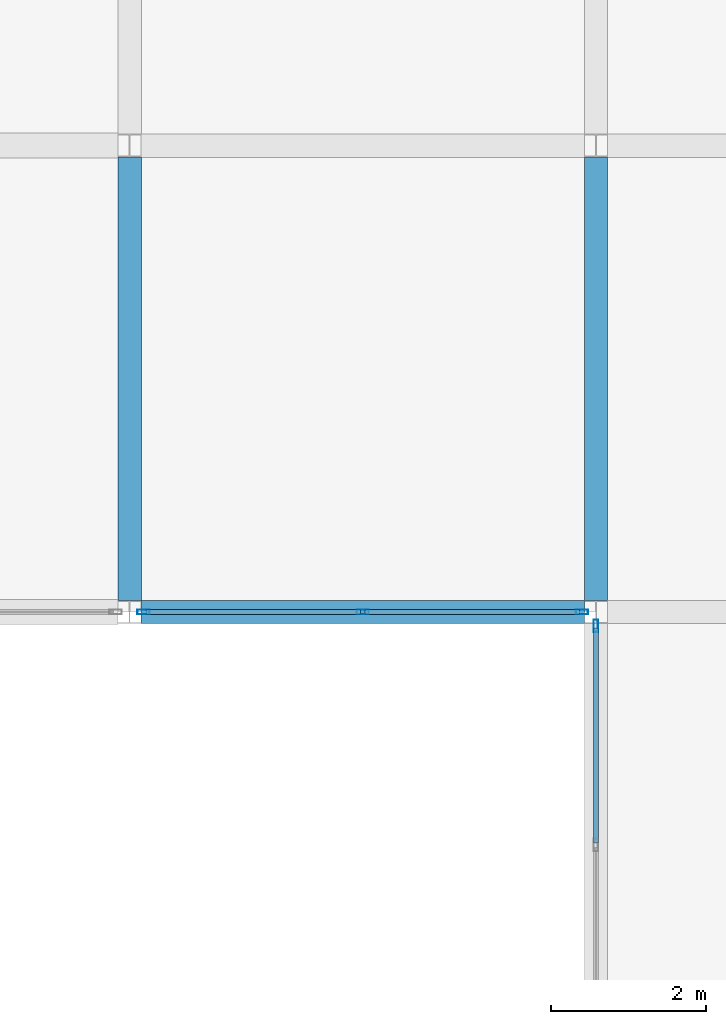
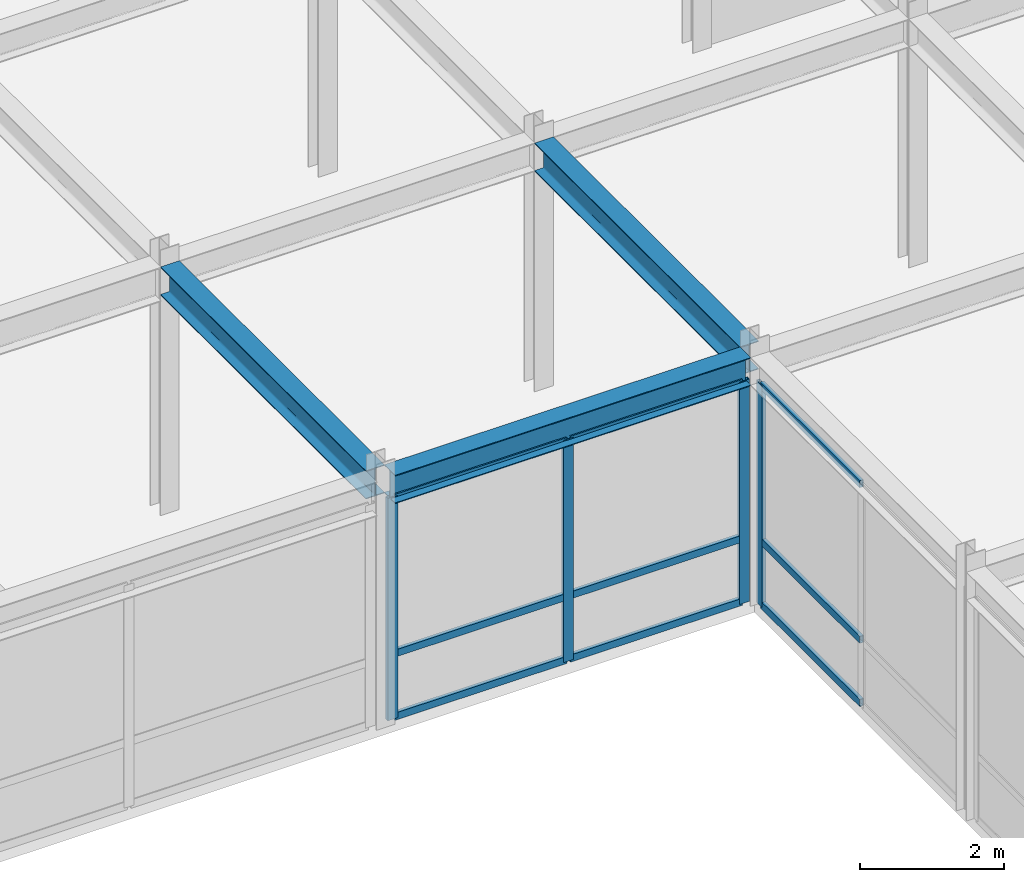
# One storey, part 91 of 108: 13 members, 3 beams, 2 elements without a shape of their own.
"""IFC4 building model written with IfcOpenShell, lengths in metres."""

from ifc_helpers import new_model, si_unit, direction, frame, origin, origin_2d, place, context, subcontext, project, spatial, hollow_rectangle, i_section, extrude, material, layer, layer_set, material_profile, profile_set, type_object, element, aggregate, save


model = new_model("IFC4")

# Units and contexts
model_context = context("Model", 3, precision=1e-05, world=origin(), true_north=direction((0.0, 1.0)))
body_context = subcontext(model_context, "Body", "Model", "MODEL_VIEW")
ifc_project = project(units=[si_unit("LENGTHUNIT", "METRE"), si_unit("AREAUNIT", "SQUARE_METRE"), si_unit("VOLUMEUNIT", "CUBIC_METRE"), si_unit("PLANEANGLEUNIT", "RADIAN"), si_unit("MASSUNIT", "GRAM", prefix="KILO")], contexts=[model_context])

# Site, building, storey
site_placement = place(None, origin())
site = spatial("IfcSite", under=ifc_project, at=site_placement, CompositionType="ELEMENT")
building_placement = place(site_placement, origin())
building = spatial("IfcBuilding", under=site, at=building_placement, Name="Zlatovratsky Civic Hall", CompositionType="ELEMENT")
storey_placement = place(building_placement, frame((0.0, 0.0, 12.0)))
storey = spatial("IfcBuildingStorey", under=building, at=storey_placement, Name="L03", CompositionType="ELEMENT", Elevation=12.0)

# Beams
ifc_material_1 = material(Name="Steel S355", Category="steel")
ifc_material_profile_1 = material_profile(ifc_material_1, i_section(OverallWidth=0.300048828125, OverallDepth=0.48193359375, WebThickness=0.010986328125, FlangeThickness=0.014892578125, FilletRadius=0.02392578125, at=origin_2d()), Name="50Sh1")
ifc_profile_set_1 = profile_set([ifc_material_profile_1], Name="Steel S355")
beam_type = type_object("IfcBeamType", Name="Beam_LibraryGirder_50Sh1", PredefinedType="BEAM", material=ifc_profile_set_1)
beam_placement = place(storey_placement, frame((144.1494140625, 66.0, 3.97900390625), z_axis=(1.0, 0.0, 0.0), x_axis=(0.0, 1.0, 0.0)))
element("IfcBeam", 1, at=beam_placement, inside=storey, type_object=beam_type, Name="BM-2618", PredefinedType="BEAM", context=body_context, shape_type="SweptSolid", body=[
    extrude(i_section(OverallWidth=0.300048828125, OverallDepth=0.48193359375, WebThickness=0.010986328125, FlangeThickness=0.014892578125, FilletRadius=0.02392578125, at=origin_2d()), origin(), (0.0, 0.0, 1.0), 5.701171875),
])
for number, where, z_axis, x_axis, name in (
    (2, (144.0, 66.14794921875, 3.97900390625), (0.0, 1.0, 0.0), (-1.0, 0.0, 0.0), "BM-3061"),
    (3, (150.0, 66.14794921875, 3.97900390625), (0.0, 1.0, 0.0), (-1.0, 0.0, 0.0), "BM-3078"),
):
    element("IfcBeam", number, at=place(storey_placement, frame(where, z_axis=z_axis, x_axis=x_axis)), inside=storey, type_object=beam_type, Name=name, PredefinedType="BEAM", context=body_context, shape_type="SweptSolid", body=[
        extrude(i_section(OverallWidth=0.300048828125, OverallDepth=0.48193359375, WebThickness=0.010986328125, FlangeThickness=0.014892578125, FilletRadius=0.02392578125, at=origin_2d()), origin(), (0.0, 0.0, 1.0), 5.7041015625),
    ])

# Curtain wall, members
ifc_material_2 = material(Name="Anodised bronze aluminium", Category="aluminium")
ifc_layer = layer(ifc_material_2, 0.159912109375)
ifc_layer_set = layer_set([ifc_layer], Name="Anodised bronze aluminium")
curtain_wall_type = type_object("IfcCurtainWallType", Name="CurtainWall_Bronze_5700x3770_12", PredefinedType="NOTDEFINED", material=ifc_layer_set)
curtain_wall_1_placement = place(storey_placement, origin())
curtain_wall_1 = element("IfcCurtainWall", 4, at=curtain_wall_1_placement, inside=storey, type_object=curtain_wall_type, Name="CW-074", PredefinedType="NOTDEFINED")
ifc_material_profile_2 = material_profile(ifc_material_2, hollow_rectangle(XDim=0.06005859375, YDim=0.159912109375, WallThickness=0.00390625, at=origin_2d()), Name="ALU 60x160x4")
ifc_profile_set_2 = profile_set([ifc_material_profile_2], Name="Anodised bronze aluminium")
member_type_1 = type_object("IfcMemberType", Name="CW_Mullion_60x160", PredefinedType="MULLION", material=ifc_profile_set_2)
member_1_placement = place(storey_placement, frame((144.179443359375, 66.0, 0.0), z_axis=(0.0, 0.0, 1.0), x_axis=(0.0, 1.0, 0.0)))
member_1 = element("IfcMember", 5, at=member_1_placement, type_object=member_type_1, Name="CW-12 mullion 1", PredefinedType="MULLION", context=body_context, shape_type="SweptSolid", body=[
    extrude(hollow_rectangle(XDim=0.06005859375, YDim=0.159912109375, WallThickness=0.00390625, at=origin_2d()), origin(), (0.0, 0.0, 1.0), 3.77001953125),
])
member_2_placement = place(storey_placement, frame((147.0, 66.0, 0.0), z_axis=(0.0, 0.0, 1.0), x_axis=(0.0, 1.0, 0.0)))
member_2 = element("IfcMember", 6, at=member_2_placement, type_object=member_type_1, Name="CW-12 mullion 2", PredefinedType="MULLION", context=body_context, shape_type="SweptSolid", body=[
    extrude(hollow_rectangle(XDim=0.06005859375, YDim=0.159912109375, WallThickness=0.00390625, at=origin_2d()), origin(), (0.0, 0.0, 1.0), 3.77001953125),
])
member_3_placement = place(storey_placement, frame((149.820556640625, 66.0, 0.0), z_axis=(0.0, 0.0, 1.0), x_axis=(0.0, 1.0, 0.0)))
member_3 = element("IfcMember", 7, at=member_3_placement, type_object=member_type_1, Name="CW-12 mullion 3", PredefinedType="MULLION", context=body_context, shape_type="SweptSolid", body=[
    extrude(hollow_rectangle(XDim=0.06005859375, YDim=0.159912109375, WallThickness=0.00390625, at=origin_2d()), origin(), (0.0, 0.0, 1.0), 3.77001953125),
])

# Curtain wall, member
curtain_wall_2_placement = place(storey_placement, origin())
curtain_wall_2 = element("IfcCurtainWall", 8, at=curtain_wall_2_placement, inside=storey, type_object=curtain_wall_type, Name="CW-086", PredefinedType="NOTDEFINED")
member_4_placement = place(storey_placement, frame((150.0, 65.822021484375, 0.0), z_axis=(0.0, 0.0, 1.0), x_axis=(-1.0, 0.0, 0.0)))
member_4 = element("IfcMember", 9, at=member_4_placement, type_object=member_type_1, Name="CW-12 mullion 3", PredefinedType="MULLION", context=body_context, shape_type="SweptSolid", body=[
    extrude(hollow_rectangle(XDim=0.06005859375, YDim=0.159912109375, WallThickness=0.00390625, at=origin_2d()), origin(), (0.0, 0.0, 1.0), 3.77001953125),
])

# Member
ifc_material_profile_3 = material_profile(ifc_material_2, hollow_rectangle(XDim=0.06005859375, YDim=0.1201171875, WallThickness=0.00390625, at=origin_2d()), Name="ALU 60x120x4")
ifc_profile_set_3 = profile_set([ifc_material_profile_3], Name="Anodised bronze aluminium")
member_type_2 = type_object("IfcMemberType", Name="CW_Transom_60x120", PredefinedType="USERDEFINED", material=ifc_profile_set_3)
member_5_placement = place(storey_placement, frame((144.20947265625, 66.0, 0.030029296875), z_axis=(1.0, 0.0, 0.0), x_axis=(0.0, 1.0, 0.0)))
member_5 = element("IfcMember", 10, at=member_5_placement, type_object=member_type_2, Name="CW-12 transom 1.1", ObjectType="TRANSOM", PredefinedType="USERDEFINED", context=body_context, shape_type="SweptSolid", body=[
    extrude(hollow_rectangle(XDim=0.06005859375, YDim=0.1201171875, WallThickness=0.00390625, at=origin_2d()), origin(), (0.0, 0.0, 1.0), 2.760498046875),
])

member_6_placement = place(storey_placement, frame((144.20947265625, 66.0, 1.10009765625), z_axis=(1.0, 0.0, 0.0), x_axis=(0.0, 1.0, 0.0)))
member_6 = element("IfcMember", 11, at=member_6_placement, type_object=member_type_2, Name="CW-12 transom 1.2", ObjectType="TRANSOM", PredefinedType="USERDEFINED", context=body_context, shape_type="SweptSolid", body=[
    extrude(hollow_rectangle(XDim=0.06005859375, YDim=0.1201171875, WallThickness=0.00390625, at=origin_2d()), origin(), (0.0, 0.0, 1.0), 2.760498046875),
])

member_7_placement = place(storey_placement, frame((144.20947265625, 66.0, 3.739990234375), z_axis=(1.0, 0.0, 0.0), x_axis=(0.0, 1.0, 0.0)))
member_7 = element("IfcMember", 12, at=member_7_placement, type_object=member_type_2, Name="CW-12 transom 1.3", ObjectType="TRANSOM", PredefinedType="USERDEFINED", context=body_context, shape_type="SweptSolid", body=[
    extrude(hollow_rectangle(XDim=0.06005859375, YDim=0.1201171875, WallThickness=0.00390625, at=origin_2d()), origin(), (0.0, 0.0, 1.0), 2.760498046875),
])

member_8_placement = place(storey_placement, frame((147.030029296875, 66.0, 0.030029296875), z_axis=(1.0, 0.0, 0.0), x_axis=(0.0, 1.0, 0.0)))
member_8 = element("IfcMember", 13, at=member_8_placement, type_object=member_type_2, Name="CW-12 transom 2.1", ObjectType="TRANSOM", PredefinedType="USERDEFINED", context=body_context, shape_type="SweptSolid", body=[
    extrude(hollow_rectangle(XDim=0.06005859375, YDim=0.1201171875, WallThickness=0.00390625, at=origin_2d()), origin(), (0.0, 0.0, 1.0), 2.760498046875),
])

member_9_placement = place(storey_placement, frame((147.030029296875, 66.0, 1.10009765625), z_axis=(1.0, 0.0, 0.0), x_axis=(0.0, 1.0, 0.0)))
member_9 = element("IfcMember", 14, at=member_9_placement, type_object=member_type_2, Name="CW-12 transom 2.2", ObjectType="TRANSOM", PredefinedType="USERDEFINED", context=body_context, shape_type="SweptSolid", body=[
    extrude(hollow_rectangle(XDim=0.06005859375, YDim=0.1201171875, WallThickness=0.00390625, at=origin_2d()), origin(), (0.0, 0.0, 1.0), 2.760498046875),
])

member_10_placement = place(storey_placement, frame((147.030029296875, 66.0, 3.739990234375), z_axis=(1.0, 0.0, 0.0), x_axis=(0.0, 1.0, 0.0)))
member_10 = element("IfcMember", 15, at=member_10_placement, type_object=member_type_2, Name="CW-12 transom 2.3", ObjectType="TRANSOM", PredefinedType="USERDEFINED", context=body_context, shape_type="SweptSolid", body=[
    extrude(hollow_rectangle(XDim=0.06005859375, YDim=0.1201171875, WallThickness=0.00390625, at=origin_2d()), origin(), (0.0, 0.0, 1.0), 2.760498046875),
])

aggregate(curtain_wall_1, [member_1, member_2, member_3, member_5, member_6, member_7, member_8, member_9, member_10])

member_11_placement = place(storey_placement, frame((150.0, 63.030029296875, 0.030029296875), z_axis=(0.0, 1.0, 0.0), x_axis=(-1.0, 0.0, 0.0)))
member_11 = element("IfcMember", 16, at=member_11_placement, type_object=member_type_2, Name="CW-12 transom 2.1", ObjectType="TRANSOM", PredefinedType="USERDEFINED", context=body_context, shape_type="SweptSolid", body=[
    extrude(hollow_rectangle(XDim=0.06005859375, YDim=0.1201171875, WallThickness=0.00390625, at=origin_2d()), origin(), (0.0, 0.0, 1.0), 2.761962890625),
])

member_12_placement = place(storey_placement, frame((150.0, 63.030029296875, 1.10009765625), z_axis=(0.0, 1.0, 0.0), x_axis=(-1.0, 0.0, 0.0)))
member_12 = element("IfcMember", 17, at=member_12_placement, type_object=member_type_2, Name="CW-12 transom 2.2", ObjectType="TRANSOM", PredefinedType="USERDEFINED", context=body_context, shape_type="SweptSolid", body=[
    extrude(hollow_rectangle(XDim=0.06005859375, YDim=0.1201171875, WallThickness=0.00390625, at=origin_2d()), origin(), (0.0, 0.0, 1.0), 2.761962890625),
])

member_13_placement = place(storey_placement, frame((150.0, 63.030029296875, 3.739990234375), z_axis=(0.0, 1.0, 0.0), x_axis=(-1.0, 0.0, 0.0)))
member_13 = element("IfcMember", 18, at=member_13_placement, type_object=member_type_2, Name="CW-12 transom 2.3", ObjectType="TRANSOM", PredefinedType="USERDEFINED", context=body_context, shape_type="SweptSolid", body=[
    extrude(hollow_rectangle(XDim=0.06005859375, YDim=0.1201171875, WallThickness=0.00390625, at=origin_2d()), origin(), (0.0, 0.0, 1.0), 2.761962890625),
])

aggregate(curtain_wall_2, [member_4, member_11, member_12, member_13])

save(model, "model.ifc")
